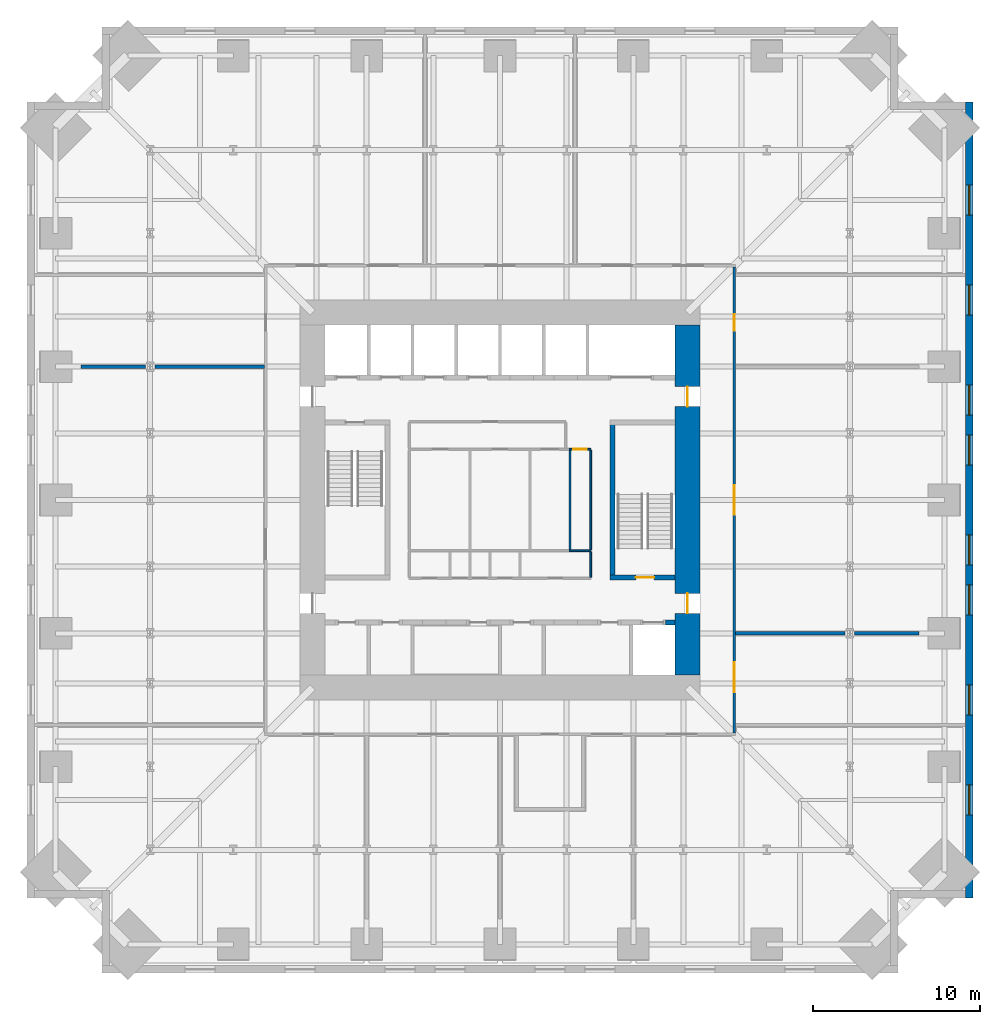
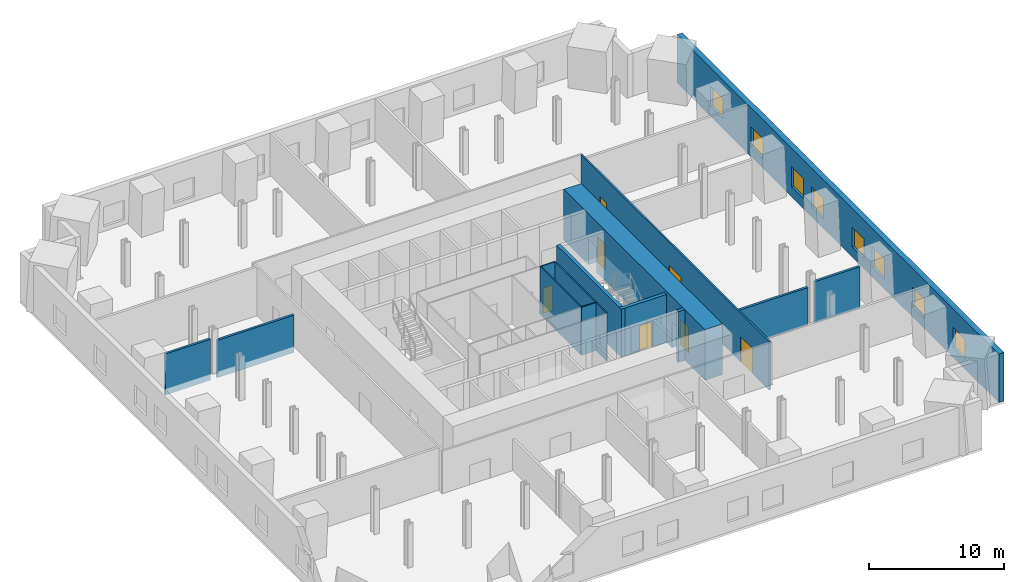
# One storey, part 5 of 8: 15 walls, 8 windows, 7 doors, 15 openings.
"""IFC4 building model written with IfcOpenShell, lengths in metres."""

from ifc_helpers import new_model, si_unit, direction, frame, frame_2d, origin, place, context, subcontext, project, spatial, rectangle, extrude, material, layer, layer_set, type_object, element, fill, save


model = new_model("IFC4")

# Units and contexts
model_context = context("Model", 3, precision=1e-05, world=origin(), true_north=direction((0.0, 1.0)))
body_context = subcontext(model_context, "Body", "Model", "MODEL_VIEW")
ifc_project = project(units=[si_unit("LENGTHUNIT", "METRE"), si_unit("AREAUNIT", "SQUARE_METRE"), si_unit("VOLUMEUNIT", "CUBIC_METRE"), si_unit("PLANEANGLEUNIT", "RADIAN"), si_unit("MASSUNIT", "GRAM", prefix="KILO")], contexts=[model_context])

# Site, building, storey
site_placement = place(None, origin())
site = spatial("IfcSite", under=ifc_project, at=site_placement, CompositionType="ELEMENT")
building_placement = place(site_placement, origin())
building = spatial("IfcBuilding", under=site, at=building_placement, Name="Peilmerk Tower", CompositionType="ELEMENT")
storey_placement = place(building_placement, frame((0.0, 0.0, 104.39990234375)))
storey = spatial("IfcBuildingStorey", under=building, at=storey_placement, Name="L20", CompositionType="ELEMENT", Elevation=104.39990234375)

# Wall, openings, windows
ifc_material_1 = material(Name="Precast concrete C45/55, board-marked finish", Category="concrete")
ifc_layer_1 = layer(ifc_material_1, 0.449951171875)
ifc_layer_set_1 = layer_set([ifc_layer_1], Name="Precast concrete C45/55, board-marked finish")
wall_type_1 = type_object("IfcWallType", Name="EW1 450 precast concrete facade wall, board-marked", PredefinedType="SOLIDWALL", material=ifc_layer_set_1)
wall_1_placement = place(storey_placement, frame((28.175048828125, -23.89990234375, 0.0), z_axis=(0.0, 0.0, 1.0), x_axis=(0.0, 1.0, 0.0)))
wall_1 = element("IfcWall", 1, at=wall_1_placement, inside=storey, type_object=wall_type_1, Name="Facade wall E L20", PredefinedType="SOLIDWALL", context=body_context, shape_type="SweptSolid", body=[
    extrude(rectangle(XDim=47.7998046875, YDim=0.449951171875, at=frame_2d((23.89990234375, 0.0))), origin(), (0.0, 0.0, 1.0), 4.400146484375),
])
opening_1_placement = place(wall_1_placement, frame((5.0, 0.0, 0.89990234375)))
opening_1 = element("IfcOpeningElement", 2, at=opening_1_placement, cuts=wall_1, Name="Opening W3", PredefinedType="OPENING", context=body_context, shape_type="SweptSolid", body=[
    extrude(rectangle(XDim=1.800048828125, YDim=1.800048828125, at=frame_2d((0.89990234375, 0.89990234375))), frame((0.0, 0.23486328125, 0.0), z_axis=(0.0, -1.0, 0.0), x_axis=(1.0, 0.0, 0.0)), (0.0, 0.0, 1.0), 0.469970703125),
])
opening_2_placement = place(wall_1_placement, frame((11.0, 0.0, 0.89990234375)))
opening_2 = element("IfcOpeningElement", 3, at=opening_2_placement, cuts=wall_1, Name="Opening W3", PredefinedType="OPENING", context=body_context, shape_type="SweptSolid", body=[
    extrude(rectangle(XDim=1.800048828125, YDim=1.800048828125, at=frame_2d((0.89990234375, 0.89990234375))), frame((0.0, 0.23486328125, 0.0), z_axis=(0.0, -1.0, 0.0), x_axis=(1.0, 0.0, 0.0)), (0.0, 0.0, 1.0), 0.469970703125),
])
opening_3_placement = place(wall_1_placement, frame((17.0, 0.0, 0.89990234375)))
opening_3 = element("IfcOpeningElement", 4, at=opening_3_placement, cuts=wall_1, Name="Opening W3", PredefinedType="OPENING", context=body_context, shape_type="SweptSolid", body=[
    extrude(rectangle(XDim=1.800048828125, YDim=1.800048828125, at=frame_2d((0.89990234375, 0.89990234375))), frame((0.0, 0.23486328125, 0.0), z_axis=(0.0, -1.0, 0.0), x_axis=(1.0, 0.0, 0.0)), (0.0, 0.0, 1.0), 0.469970703125),
])
opening_4_placement = place(wall_1_placement, frame((20.0, 0.0, 0.89990234375)))
opening_4 = element("IfcOpeningElement", 5, at=opening_4_placement, cuts=wall_1, Name="Opening W3", PredefinedType="OPENING", context=body_context, shape_type="SweptSolid", body=[
    extrude(rectangle(XDim=1.800048828125, YDim=1.800048828125, at=frame_2d((0.89990234375, 0.89990234375))), frame((0.0, 0.23486328125, 0.0), z_axis=(0.0, -1.0, 0.0), x_axis=(1.0, 0.0, 0.0)), (0.0, 0.0, 1.0), 0.469970703125),
])
opening_5_placement = place(wall_1_placement, frame((26.0, 0.0, 0.89990234375)))
opening_5 = element("IfcOpeningElement", 6, at=opening_5_placement, cuts=wall_1, Name="Opening W3", PredefinedType="OPENING", context=body_context, shape_type="SweptSolid", body=[
    extrude(rectangle(XDim=1.800048828125, YDim=1.800048828125, at=frame_2d((0.89990234375, 0.89990234375))), frame((0.0, 0.23486328125, 0.0), z_axis=(0.0, -1.0, 0.0), x_axis=(1.0, 0.0, 0.0)), (0.0, 0.0, 1.0), 0.469970703125),
])
opening_6_placement = place(wall_1_placement, frame((29.0, 0.0, 0.89990234375)))
opening_6 = element("IfcOpeningElement", 7, at=opening_6_placement, cuts=wall_1, Name="Opening W3", PredefinedType="OPENING", context=body_context, shape_type="SweptSolid", body=[
    extrude(rectangle(XDim=1.800048828125, YDim=1.800048828125, at=frame_2d((0.89990234375, 0.89990234375))), frame((0.0, 0.23486328125, 0.0), z_axis=(0.0, -1.0, 0.0), x_axis=(1.0, 0.0, 0.0)), (0.0, 0.0, 1.0), 0.469970703125),
])
opening_7_placement = place(wall_1_placement, frame((35.0, 0.0, 0.89990234375)))
opening_7 = element("IfcOpeningElement", 8, at=opening_7_placement, cuts=wall_1, Name="Opening W3", PredefinedType="OPENING", context=body_context, shape_type="SweptSolid", body=[
    extrude(rectangle(XDim=1.800048828125, YDim=1.800048828125, at=frame_2d((0.89990234375, 0.89990234375))), frame((0.0, 0.23486328125, 0.0), z_axis=(0.0, -1.0, 0.0), x_axis=(1.0, 0.0, 0.0)), (0.0, 0.0, 1.0), 0.469970703125),
])
opening_8_placement = place(wall_1_placement, frame((41.0, 0.0, 0.89990234375)))
opening_8 = element("IfcOpeningElement", 9, at=opening_8_placement, cuts=wall_1, Name="Opening W3", PredefinedType="OPENING", context=body_context, shape_type="SweptSolid", body=[
    extrude(rectangle(XDim=1.800048828125, YDim=1.800048828125, at=frame_2d((0.89990234375, 0.89990234375))), frame((0.0, 0.23486328125, 0.0), z_axis=(0.0, -1.0, 0.0), x_axis=(1.0, 0.0, 0.0)), (0.0, 0.0, 1.0), 0.469970703125),
])
ifc_material_2 = material(Name="Aluminium frame, clear double glazing", Category="aluminium")
window_type = type_object("IfcWindowType", Name="W3 1800x1800 telecom floor window", PartitioningType="SINGLE_PANEL", PredefinedType="WINDOW", material=ifc_material_2)
window_1_placement = place(opening_1_placement, origin())
window_1 = element("IfcWindow", 10, at=window_1_placement, inside=storey, type_object=window_type, Name="Window W3 L20", OverallHeight=1.800048828125, OverallWidth=1.800048828125, PartitioningType="SINGLE_PANEL", PredefinedType="WINDOW", context=body_context, shape_type="SweptSolid", body=[
    extrude(rectangle(XDim=1.800048828125, YDim=1.800048828125, at=frame_2d((0.89990234375, 0.89990234375))), frame((0.0, 0.030029296875, 0.0), z_axis=(0.0, -1.0, 0.0), x_axis=(1.0, 0.0, 0.0)), (0.0, 0.0, 1.0), 0.06005859375),
])
fill(opening_1, window_1)
window_2_placement = place(opening_2_placement, origin())
window_2 = element("IfcWindow", 11, at=window_2_placement, inside=storey, type_object=window_type, Name="Window W3 L20", OverallHeight=1.800048828125, OverallWidth=1.800048828125, PartitioningType="SINGLE_PANEL", PredefinedType="WINDOW", context=body_context, shape_type="SweptSolid", body=[
    extrude(rectangle(XDim=1.800048828125, YDim=1.800048828125, at=frame_2d((0.89990234375, 0.89990234375))), frame((0.0, 0.030029296875, 0.0), z_axis=(0.0, -1.0, 0.0), x_axis=(1.0, 0.0, 0.0)), (0.0, 0.0, 1.0), 0.06005859375),
])
fill(opening_2, window_2)
window_3_placement = place(opening_3_placement, origin())
window_3 = element("IfcWindow", 12, at=window_3_placement, inside=storey, type_object=window_type, Name="Window W3 L20", OverallHeight=1.800048828125, OverallWidth=1.800048828125, PartitioningType="SINGLE_PANEL", PredefinedType="WINDOW", context=body_context, shape_type="SweptSolid", body=[
    extrude(rectangle(XDim=1.800048828125, YDim=1.800048828125, at=frame_2d((0.89990234375, 0.89990234375))), frame((0.0, 0.030029296875, 0.0), z_axis=(0.0, -1.0, 0.0), x_axis=(1.0, 0.0, 0.0)), (0.0, 0.0, 1.0), 0.06005859375),
])
fill(opening_3, window_3)
window_4_placement = place(opening_4_placement, origin())
window_4 = element("IfcWindow", 13, at=window_4_placement, inside=storey, type_object=window_type, Name="Window W3 L20", OverallHeight=1.800048828125, OverallWidth=1.800048828125, PartitioningType="SINGLE_PANEL", PredefinedType="WINDOW", context=body_context, shape_type="SweptSolid", body=[
    extrude(rectangle(XDim=1.800048828125, YDim=1.800048828125, at=frame_2d((0.89990234375, 0.89990234375))), frame((0.0, 0.030029296875, 0.0), z_axis=(0.0, -1.0, 0.0), x_axis=(1.0, 0.0, 0.0)), (0.0, 0.0, 1.0), 0.06005859375),
])
fill(opening_4, window_4)
window_5_placement = place(opening_5_placement, origin())
window_5 = element("IfcWindow", 14, at=window_5_placement, inside=storey, type_object=window_type, Name="Window W3 L20", OverallHeight=1.800048828125, OverallWidth=1.800048828125, PartitioningType="SINGLE_PANEL", PredefinedType="WINDOW", context=body_context, shape_type="SweptSolid", body=[
    extrude(rectangle(XDim=1.800048828125, YDim=1.800048828125, at=frame_2d((0.89990234375, 0.89990234375))), frame((0.0, 0.030029296875, 0.0), z_axis=(0.0, -1.0, 0.0), x_axis=(1.0, 0.0, 0.0)), (0.0, 0.0, 1.0), 0.06005859375),
])
fill(opening_5, window_5)
window_6_placement = place(opening_6_placement, origin())
window_6 = element("IfcWindow", 15, at=window_6_placement, inside=storey, type_object=window_type, Name="Window W3 L20", OverallHeight=1.800048828125, OverallWidth=1.800048828125, PartitioningType="SINGLE_PANEL", PredefinedType="WINDOW", context=body_context, shape_type="SweptSolid", body=[
    extrude(rectangle(XDim=1.800048828125, YDim=1.800048828125, at=frame_2d((0.89990234375, 0.89990234375))), frame((0.0, 0.030029296875, 0.0), z_axis=(0.0, -1.0, 0.0), x_axis=(1.0, 0.0, 0.0)), (0.0, 0.0, 1.0), 0.06005859375),
])
fill(opening_6, window_6)
window_7_placement = place(opening_7_placement, origin())
window_7 = element("IfcWindow", 16, at=window_7_placement, inside=storey, type_object=window_type, Name="Window W3 L20", OverallHeight=1.800048828125, OverallWidth=1.800048828125, PartitioningType="SINGLE_PANEL", PredefinedType="WINDOW", context=body_context, shape_type="SweptSolid", body=[
    extrude(rectangle(XDim=1.800048828125, YDim=1.800048828125, at=frame_2d((0.89990234375, 0.89990234375))), frame((0.0, 0.030029296875, 0.0), z_axis=(0.0, -1.0, 0.0), x_axis=(1.0, 0.0, 0.0)), (0.0, 0.0, 1.0), 0.06005859375),
])
fill(opening_7, window_7)
window_8_placement = place(opening_8_placement, origin())
window_8 = element("IfcWindow", 17, at=window_8_placement, inside=storey, type_object=window_type, Name="Window W3 L20", OverallHeight=1.800048828125, OverallWidth=1.800048828125, PartitioningType="SINGLE_PANEL", PredefinedType="WINDOW", context=body_context, shape_type="SweptSolid", body=[
    extrude(rectangle(XDim=1.800048828125, YDim=1.800048828125, at=frame_2d((0.89990234375, 0.89990234375))), frame((0.0, 0.030029296875, 0.0), z_axis=(0.0, -1.0, 0.0), x_axis=(1.0, 0.0, 0.0)), (0.0, 0.0, 1.0), 0.06005859375),
])
fill(opening_8, window_8)

# Wall, openings, doors
ifc_material_3 = material(Name="Calcium silicate block", Category="masonry")
ifc_layer_2 = layer(ifc_material_3, 0.14990234375)
ifc_layer_set_2 = layer_set([ifc_layer_2], Name="Calcium silicate block")
wall_type_2 = type_object("IfcWallType", Name="IW1 150 corridor partition, EI 60", PredefinedType="PARTITIONING", material=ifc_layer_set_2)
wall_2_placement = place(storey_placement, frame((14.050048828125, -13.97509765625, 0.0), z_axis=(0.0, 0.0, 1.0), x_axis=(0.0, 1.0, 0.0)))
wall_2 = element("IfcWall", 18, at=wall_2_placement, inside=storey, type_object=wall_type_2, Name="Corridor wall E L20", PredefinedType="PARTITIONING", context=body_context, shape_type="SweptSolid", body=[
    extrude(rectangle(XDim=27.9501953125, YDim=0.14990234375, at=frame_2d((13.97509765625, 0.0))), origin(), (0.0, 0.0, 1.0), 4.400146484375),
])
opening_9_placement = place(wall_2_placement, frame((2.425048828125, 0.0, 0.0)))
opening_9 = element("IfcOpeningElement", 19, at=opening_9_placement, cuts=wall_2, Name="Opening D2", PredefinedType="OPENING", context=body_context, shape_type="SweptSolid", body=[
    extrude(rectangle(XDim=1.800048828125, YDim=2.300048828125, at=frame_2d((0.89990234375, 1.14990234375))), frame((0.0, 0.0849609375, 0.0), z_axis=(0.0, -1.0, 0.0), x_axis=(1.0, 0.0, 0.0)), (0.0, 0.0, 1.0), 0.169921875),
])
opening_10_placement = place(wall_2_placement, frame((13.074951171875, 0.0, 0.0)))
opening_10 = element("IfcOpeningElement", 20, at=opening_10_placement, cuts=wall_2, Name="Opening D2", PredefinedType="OPENING", context=body_context, shape_type="SweptSolid", body=[
    extrude(rectangle(XDim=1.800048828125, YDim=2.300048828125, at=frame_2d((0.89990234375, 1.14990234375))), frame((0.0, 0.0849609375, 0.0), z_axis=(0.0, -1.0, 0.0), x_axis=(1.0, 0.0, 0.0)), (0.0, 0.0, 1.0), 0.169921875),
])
opening_11_placement = place(wall_2_placement, frame((24.125, 0.0, 0.0)))
opening_11 = element("IfcOpeningElement", 21, at=opening_11_placement, cuts=wall_2, Name="Opening D1", PredefinedType="OPENING", context=body_context, shape_type="SweptSolid", body=[
    extrude(rectangle(XDim=1.0, YDim=2.300048828125, at=frame_2d((0.5, 1.14990234375))), frame((0.0, 0.0849609375, 0.0), z_axis=(0.0, -1.0, 0.0), x_axis=(1.0, 0.0, 0.0)), (0.0, 0.0, 1.0), 0.169921875),
])
ifc_material_4 = material(Name="Timber door in steel frame", Category="steel")
door_type_1 = type_object("IfcDoorType", Name="D1 1000x2300 room door, EI2 30", OperationType="SINGLE_SWING_LEFT", PredefinedType="DOOR", material=ifc_material_4)
door_1_placement = place(opening_11_placement, frame((1.0, 0.0, 0.0), z_axis=(0.0, 0.0, 1.0), x_axis=(-1.0, 0.0, 0.0)))
door_1 = element("IfcDoor", 22, at=door_1_placement, inside=storey, type_object=door_type_1, Name="Door Power distribution room L20", OperationType="SINGLE_SWING_LEFT", OverallHeight=2.300048828125, OverallWidth=1.0, PredefinedType="DOOR", context=body_context, shape_type="SweptSolid", body=[
    extrude(rectangle(XDim=1.0, YDim=2.300048828125, at=frame_2d((0.5, 1.14990234375))), frame((0.0, 0.02490234375, 0.0), z_axis=(0.0, -1.0, 0.0), x_axis=(1.0, 0.0, 0.0)), (0.0, 0.0, 1.0), 0.050048828125),
])
fill(opening_11, door_1)
ifc_material_5 = material(Name="Steel door in steel frame", Category="steel")
door_type_2 = type_object("IfcDoorType", Name="D2 1800x2300 double door, EI2 60", OperationType="DOUBLE_DOOR_DOUBLE_SWING", PredefinedType="DOOR", material=ifc_material_5)
door_2_placement = place(opening_9_placement, frame((1.800048828125, 0.0, 0.0), z_axis=(0.0, 0.0, 1.0), x_axis=(-1.0, 0.0, 0.0)))
door_2 = element("IfcDoor", 23, at=door_2_placement, inside=storey, type_object=door_type_2, Name="Door Rectifier room L20", OperationType="DOUBLE_DOOR_DOUBLE_SWING", OverallHeight=2.300048828125, OverallWidth=1.800048828125, PredefinedType="DOOR", context=body_context, shape_type="SweptSolid", body=[
    extrude(rectangle(XDim=1.800048828125, YDim=2.300048828125, at=frame_2d((0.89990234375, 1.14990234375))), frame((0.0, 0.02490234375, 0.0), z_axis=(0.0, -1.0, 0.0), x_axis=(1.0, 0.0, 0.0)), (0.0, 0.0, 1.0), 0.050048828125),
])
fill(opening_9, door_2)
door_3_placement = place(opening_10_placement, frame((1.800048828125, 0.0, 0.0), z_axis=(0.0, 0.0, 1.0), x_axis=(-1.0, 0.0, 0.0)))
door_3 = element("IfcDoor", 24, at=door_3_placement, inside=storey, type_object=door_type_2, Name="Door Battery room L20", OperationType="DOUBLE_DOOR_DOUBLE_SWING", OverallHeight=2.300048828125, OverallWidth=1.800048828125, PredefinedType="DOOR", context=body_context, shape_type="SweptSolid", body=[
    extrude(rectangle(XDim=1.800048828125, YDim=2.300048828125, at=frame_2d((0.89990234375, 1.14990234375))), frame((0.0, 0.02490234375, 0.0), z_axis=(0.0, -1.0, 0.0), x_axis=(1.0, 0.0, 0.0)), (0.0, 0.0, 1.0), 0.050048828125),
])
fill(opening_10, door_3)

# Walls
ifc_layer_3 = layer(ifc_material_3, 0.199951171875)
ifc_layer_set_3 = layer_set([ifc_layer_3], Name="Calcium silicate block")
wall_type_3 = type_object("IfcWallType", Name="IW2 200 room separating wall, EI 120", PredefinedType="PARTITIONING", material=ifc_layer_set_3)
wall_3_placement = place(storey_placement, frame((14.125, -8.0, 0.0), z_axis=(0.0, 0.0, 1.0), x_axis=(1.0, 0.0, 0.0)))
element("IfcWall", 25, at=wall_3_placement, inside=storey, type_object=wall_type_3, Name="Room separating wall E1 L20", PredefinedType="PARTITIONING", context=body_context, shape_type="SweptSolid", body=[
    extrude(rectangle(XDim=6.590576171875, YDim=0.199951171875, at=frame_2d((3.29541015625, 0.0))), origin(), (0.0, 0.0, 1.0), 3.39208984375),
])
wall_4_placement = place(storey_placement, frame((21.284423828125, -8.0, 0.0), z_axis=(0.0, 0.0, 1.0), x_axis=(1.0, 0.0, 0.0)))
element("IfcWall", 26, at=wall_4_placement, inside=storey, type_object=wall_type_3, Name="Room separating wall E1b L20", PredefinedType="PARTITIONING", context=body_context, shape_type="SweptSolid", body=[
    extrude(rectangle(XDim=3.873779296875, YDim=0.199951171875, at=frame_2d((1.93701171875, 0.0))), origin(), (0.0, 0.0, 1.0), 3.710205078125),
])
wall_5_placement = place(storey_placement, frame((-14.125, 8.0, 0.0), z_axis=(0.0, 0.0, 1.0), x_axis=(-1.0, 0.0, 0.0)))
element("IfcWall", 27, at=wall_5_placement, inside=storey, type_object=wall_type_3, Name="Room separating wall W1 L20", PredefinedType="PARTITIONING", context=body_context, shape_type="SweptSolid", body=[
    extrude(rectangle(XDim=6.590576171875, YDim=0.199951171875, at=frame_2d((3.29541015625, 0.0))), origin(), (0.0, 0.0, 1.0), 3.39208984375),
])
wall_6_placement = place(storey_placement, frame((-21.284423828125, 8.0, 0.0), z_axis=(0.0, 0.0, 1.0), x_axis=(-1.0, 0.0, 0.0)))
element("IfcWall", 28, at=wall_6_placement, inside=storey, type_object=wall_type_3, Name="Room separating wall W1b L20", PredefinedType="PARTITIONING", context=body_context, shape_type="SweptSolid", body=[
    extrude(rectangle(XDim=3.873779296875, YDim=0.199951171875, at=frame_2d((1.93701171875, 0.0))), origin(), (0.0, 0.0, 1.0), 3.710205078125),
])
ifc_material_6 = material(Name="Concrete C35/45", Category="concrete")
ifc_layer_4 = layer(ifc_material_6, 0.300048828125)
ifc_layer_set_4 = layer_set([ifc_layer_4], Name="Concrete C35/45")
wall_type_4 = type_object("IfcWallType", Name="IW3 300 concrete stair enclosure wall, EI 120", PredefinedType="SOLIDWALL", material=ifc_layer_set_4)
wall_7_placement = place(storey_placement, frame((6.75, -4.800048828125, 0.0), z_axis=(0.0, 0.0, 1.0), x_axis=(0.0, 1.0, 0.0)))
element("IfcWall", 29, at=wall_7_placement, inside=storey, type_object=wall_type_4, Name="Stair 2 enclosure L20", PredefinedType="SOLIDWALL", context=body_context, shape_type="SweptSolid", body=[
    extrude(rectangle(XDim=9.60009765625, YDim=0.300048828125, at=frame_2d((4.800048828125, 0.0))), origin(), (0.0, 0.0, 1.0), 4.35009765625),
])

# Wall, opening, door
wall_8_placement = place(storey_placement, frame((10.5, -4.64990234375, 0.0), z_axis=(0.0, 0.0, 1.0), x_axis=(-1.0, 0.0, 0.0)))
wall_8 = element("IfcWall", 30, at=wall_8_placement, inside=storey, type_object=wall_type_4, Name="Stair 2 enclosure L20", PredefinedType="SOLIDWALL", context=body_context, shape_type="SweptSolid", body=[
    extrude(rectangle(XDim=3.89990234375, YDim=0.300048828125, at=frame_2d((1.949951171875, 0.0))), origin(), (0.0, 0.0, 1.0), 4.35009765625),
])
opening_12_placement = place(wall_8_placement, frame((1.25, 0.0, 0.0)))
opening_12 = element("IfcOpeningElement", 31, at=opening_12_placement, cuts=wall_8, Name="Opening D4", PredefinedType="OPENING", context=body_context, shape_type="SweptSolid", body=[
    extrude(rectangle(XDim=1.10009765625, YDim=2.300048828125, at=frame_2d((0.550048828125, 1.14990234375))), frame((0.0, 0.159912109375, 0.0), z_axis=(0.0, -1.0, 0.0), x_axis=(1.0, 0.0, 0.0)), (0.0, 0.0, 1.0), 0.320068359375),
])
door_type_3 = type_object("IfcDoorType", Name="D4 1100x2300 stair door, EI2 60", OperationType="SINGLE_SWING_RIGHT", PredefinedType="DOOR", material=ifc_material_5)
door_4_placement = place(opening_12_placement, frame((1.10009765625, 0.0, 0.0), z_axis=(0.0, 0.0, 1.0), x_axis=(-1.0, 0.0, 0.0)))
door_4 = element("IfcDoor", 32, at=door_4_placement, inside=storey, type_object=door_type_3, Name="Stair 2 door L20", OperationType="SINGLE_SWING_RIGHT", OverallHeight=2.300048828125, OverallWidth=1.10009765625, PredefinedType="DOOR", context=body_context, shape_type="SweptSolid", body=[
    extrude(rectangle(XDim=1.10009765625, YDim=2.300048828125, at=frame_2d((0.550048828125, 1.14990234375))), frame((0.0, 0.02490234375, 0.0), z_axis=(0.0, -1.0, 0.0), x_axis=(1.0, 0.0, 0.0)), (0.0, 0.0, 1.0), 0.050048828125),
])
fill(opening_12, door_4)

ifc_material_7 = material(Name="Calcium silicate board on steel studs", Category="steel")
ifc_layer_5 = layer(ifc_material_7, 0.10009765625)
ifc_layer_set_5 = layer_set([ifc_layer_5], Name="Calcium silicate board on steel studs")
wall_type_5 = type_object("IfcWallType", Name="IW5 100 riser enclosure wall, EI 60", PredefinedType="PARTITIONING", material=ifc_layer_set_5)
wall_9_placement = place(storey_placement, frame((4.14990234375, 3.050048828125, 0.0), z_axis=(0.0, 0.0, 1.0), x_axis=(1.0, 0.0, 0.0)))
wall_9 = element("IfcWall", 33, at=wall_9_placement, inside=storey, type_object=wall_type_5, Name="Riser wall L20", PredefinedType="PARTITIONING", context=body_context, shape_type="SweptSolid", body=[
    extrude(rectangle(XDim=1.300048828125, YDim=0.10009765625, at=frame_2d((0.64990234375, 0.0))), origin(), (0.0, 0.0, 1.0), 4.35009765625),
])
opening_13_placement = place(wall_9_placement, frame((0.25, 0.0, 0.0)))
opening_13 = element("IfcOpeningElement", 34, at=opening_13_placement, cuts=wall_9, Name="Opening D7", PredefinedType="OPENING", context=body_context, shape_type="SweptSolid", body=[
    extrude(rectangle(XDim=0.800048828125, YDim=2.300048828125, at=frame_2d((0.39990234375, 1.14990234375))), frame((0.0, 0.06005859375, 0.0), z_axis=(0.0, -1.0, 0.0), x_axis=(1.0, 0.0, 0.0)), (0.0, 0.0, 1.0), 0.1201171875),
])
door_type_4 = type_object("IfcDoorType", Name="D7 800x2300 riser access door, EI2 60", OperationType="SINGLE_SWING_RIGHT", PredefinedType="DOOR", material=ifc_material_5)
door_5_placement = place(opening_13_placement, frame((0.800048828125, 0.0, 0.0), z_axis=(0.0, 0.0, 1.0), x_axis=(-1.0, 0.0, 0.0)))
door_5 = element("IfcDoor", 35, at=door_5_placement, inside=storey, type_object=door_type_4, Name="Plumbing riser door L20", OperationType="SINGLE_SWING_RIGHT", OverallHeight=2.300048828125, OverallWidth=0.800048828125, PredefinedType="DOOR", context=body_context, shape_type="SweptSolid", body=[
    extrude(rectangle(XDim=0.800048828125, YDim=2.300048828125, at=frame_2d((0.39990234375, 1.14990234375))), frame((0.0, 0.02490234375, 0.0), z_axis=(0.0, -1.0, 0.0), x_axis=(1.0, 0.0, 0.0)), (0.0, 0.0, 1.0), 0.050048828125),
])
fill(opening_13, door_5)

# Walls
wall_10_placement = place(storey_placement, frame((5.449951171875, -3.050048828125, 0.0), z_axis=(0.0, 0.0, 1.0), x_axis=(-1.0, 0.0, 0.0)))
element("IfcWall", 36, at=wall_10_placement, inside=storey, type_object=wall_type_5, Name="Riser wall L20", PredefinedType="PARTITIONING", context=body_context, shape_type="SweptSolid", body=[
    extrude(rectangle(XDim=1.300048828125, YDim=0.10009765625, at=frame_2d((0.64990234375, 0.0))), origin(), (0.0, 0.0, 1.0), 4.35009765625),
])
for number, where, z_axis, x_axis, name in (
    (37, (5.449951171875, 3.0, 0.0), (0.0, 0.0, 1.0), (0.0, -1.0, 0.0), "Riser wall L20"),
    (38, (4.199951171875, -3.0, 0.0), (0.0, 0.0, 1.0), (0.0, 1.0, 0.0), "Riser wall L20"),
):
    element("IfcWall", number, at=place(storey_placement, frame(where, z_axis=z_axis, x_axis=x_axis)), inside=storey, type_object=wall_type_5, Name=name, PredefinedType="PARTITIONING", context=body_context, shape_type="SweptSolid", body=[
        extrude(rectangle(XDim=6.0, YDim=0.10009765625, at=frame_2d((3.0, 0.0))), origin(), (0.0, 0.0, 1.0), 4.35009765625),
    ])
wall_11_placement = place(storey_placement, frame((5.449951171875, -3.10009765625, 0.0), z_axis=(0.0, 0.0, 1.0), x_axis=(0.0, -1.0, 0.0)))
element("IfcWall", 39, at=wall_11_placement, inside=storey, type_object=wall_type_5, Name="Riser wall L20", PredefinedType="PARTITIONING", context=body_context, shape_type="SweptSolid", body=[
    extrude(rectangle(XDim=1.5498046875, YDim=0.10009765625, at=frame_2d((0.77490234375, 0.0))), origin(), (0.0, 0.0, 1.0), 4.35009765625),
])

# Wall, openings, doors
ifc_material_8 = material(Name="Concrete C55/67", Category="concrete")
ifc_layer_6 = layer(ifc_material_8, 1.5)
ifc_layer_set_6 = layer_set([ifc_layer_6], Name="Concrete C55/67")
wall_type_6 = type_object("IfcWallType", Name="SW1 1500 core wall", PredefinedType="SHEAR", material=ifc_layer_set_6)
wall_12_placement = place(storey_placement, frame((11.25, 10.5, 0.0), z_axis=(0.0, 0.0, 1.0), x_axis=(0.0, -1.0, 0.0)))
wall_12 = element("IfcWall", 40, at=wall_12_placement, inside=storey, type_object=wall_type_6, Name="Core wall E L20", PredefinedType="SHEAR", context=body_context, shape_type="SweptSolid", body=[
    extrude(rectangle(XDim=21.0, YDim=1.5, at=frame_2d((10.5, 0.0))), origin(), (0.0, 0.0, 1.0), 4.60009765625),
])
opening_14_placement = place(wall_12_placement, frame((3.699951171875, 0.0, 0.0)))
opening_14 = element("IfcOpeningElement", 41, at=opening_14_placement, cuts=wall_12, Name="Opening D3", PredefinedType="OPENING", context=body_context, shape_type="SweptSolid", body=[
    extrude(rectangle(XDim=1.199951171875, YDim=2.300048828125, at=frame_2d((0.60009765625, 1.14990234375))), frame((0.0, 0.760009765625, 0.0), z_axis=(0.0, -1.0, 0.0), x_axis=(1.0, 0.0, 0.0)), (0.0, 0.0, 1.0), 1.52001953125),
])
opening_15_placement = place(wall_12_placement, frame((16.10009765625, 0.0, 0.0)))
opening_15 = element("IfcOpeningElement", 42, at=opening_15_placement, cuts=wall_12, Name="Opening D3", PredefinedType="OPENING", context=body_context, shape_type="SweptSolid", body=[
    extrude(rectangle(XDim=1.199951171875, YDim=2.300048828125, at=frame_2d((0.60009765625, 1.14990234375))), frame((0.0, 0.760009765625, 0.0), z_axis=(0.0, -1.0, 0.0), x_axis=(1.0, 0.0, 0.0)), (0.0, 0.0, 1.0), 1.52001953125),
])
door_type_5 = type_object("IfcDoorType", Name="D3 1200x2300 core door, EI2 60", OperationType="SINGLE_SWING_LEFT", PredefinedType="DOOR", material=ifc_material_5)
door_6_placement = place(opening_14_placement, frame((1.199951171875, 0.0, 0.0), z_axis=(0.0, 0.0, 1.0), x_axis=(-1.0, 0.0, 0.0)))
door_6 = element("IfcDoor", 43, at=door_6_placement, inside=storey, type_object=door_type_5, Name="Core door L20", OperationType="SINGLE_SWING_LEFT", OverallHeight=2.300048828125, OverallWidth=1.199951171875, PredefinedType="DOOR", context=body_context, shape_type="SweptSolid", body=[
    extrude(rectangle(XDim=1.199951171875, YDim=2.300048828125, at=frame_2d((0.60009765625, 1.14990234375))), frame((0.0, 0.02490234375, 0.0), z_axis=(0.0, -1.0, 0.0), x_axis=(1.0, 0.0, 0.0)), (0.0, 0.0, 1.0), 0.050048828125),
])
fill(opening_14, door_6)
door_7_placement = place(opening_15_placement, frame((1.199951171875, 0.0, 0.0), z_axis=(0.0, 0.0, 1.0), x_axis=(-1.0, 0.0, 0.0)))
door_7 = element("IfcDoor", 44, at=door_7_placement, inside=storey, type_object=door_type_5, Name="Core door L20", OperationType="SINGLE_SWING_LEFT", OverallHeight=2.300048828125, OverallWidth=1.199951171875, PredefinedType="DOOR", context=body_context, shape_type="SweptSolid", body=[
    extrude(rectangle(XDim=1.199951171875, YDim=2.300048828125, at=frame_2d((0.60009765625, 1.14990234375))), frame((0.0, 0.02490234375, 0.0), z_axis=(0.0, -1.0, 0.0), x_axis=(1.0, 0.0, 0.0)), (0.0, 0.0, 1.0), 0.050048828125),
])
fill(opening_15, door_7)

# Wall
ifc_layer_7 = layer(ifc_material_8, 0.300048828125)
ifc_layer_set_7 = layer_set([ifc_layer_7], Name="Concrete C55/67")
wall_type_7 = type_object("IfcWallType", Name="SW2 300 lift bank pier", PredefinedType="SHEAR", material=ifc_layer_set_7)
wall_13_placement = place(storey_placement, frame((9.9375, -7.35009765625, 0.0), z_axis=(0.0, 0.0, 1.0), x_axis=(1.0, 0.0, 0.0)))
element("IfcWall", 45, at=wall_13_placement, inside=storey, type_object=wall_type_7, Name="Lift bank pier S L20", PredefinedType="SHEAR", context=body_context, shape_type="SweptSolid", body=[
    extrude(rectangle(XDim=0.5625, YDim=0.300048828125, at=frame_2d((0.28125, 0.0))), origin(), (0.0, 0.0, 1.0), 4.60009765625),
])

save(model, "model.ifc")
